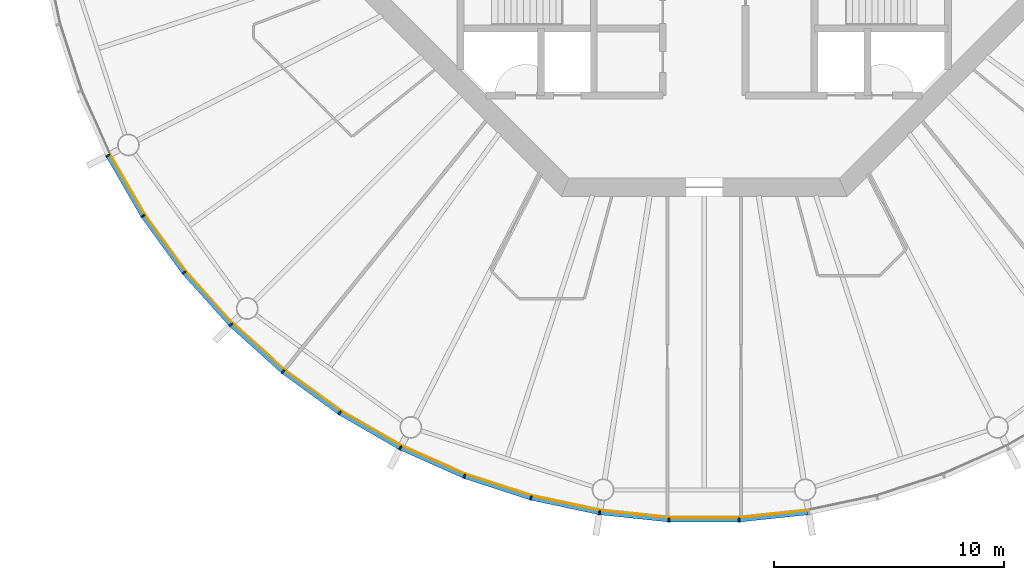
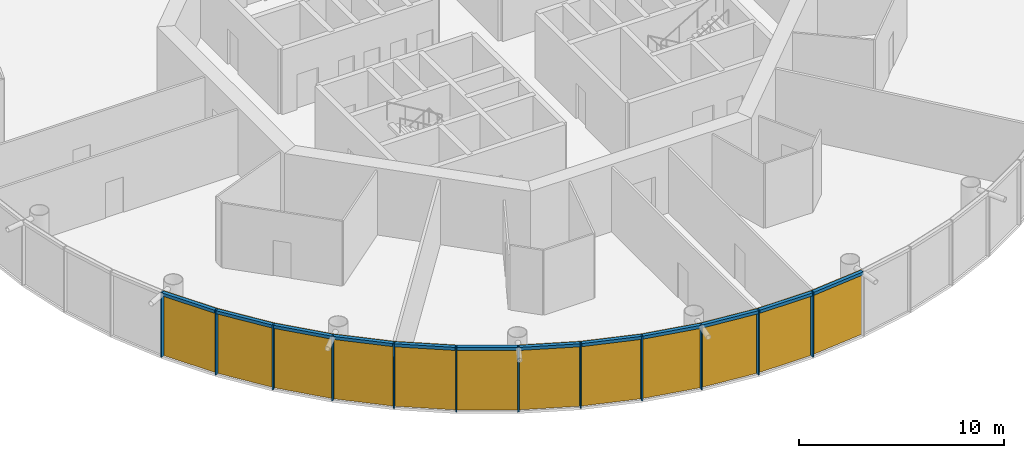
# One storey, part 7 of 13: 24 members, 4 curtain walls.
"""IFC4 building model written with IfcOpenShell, lengths in metres."""

from ifc_helpers import new_model, si_unit, direction, frame, origin, origin_2d, place, context, subcontext, project, spatial, polyline, rectangle, outline, extrude, material, layer, layer_set, material_profile, profile_set, type_object, element, aggregate, save


model = new_model("IFC4")

# Units and contexts
model_context = context("Model", 3, precision=1e-05, world=origin(), true_north=direction((0.0, 1.0)))
body_context = subcontext(model_context, "Body", "Model", "MODEL_VIEW")
ifc_project = project(units=[si_unit("LENGTHUNIT", "METRE"), si_unit("AREAUNIT", "SQUARE_METRE"), si_unit("VOLUMEUNIT", "CUBIC_METRE"), si_unit("PLANEANGLEUNIT", "RADIAN"), si_unit("MASSUNIT", "GRAM", prefix="KILO")], contexts=[model_context])

# Member
ifc_material_1 = material(Name="Anodised aluminium", Category="aluminium")
ifc_material_profile_1 = material_profile(ifc_material_1, rectangle(XDim=0.06494140625, YDim=0.195068359375, at=origin_2d()), Name="Mullion 65 x 195 mm anodised aluminium")
ifc_profile_set_1 = profile_set([ifc_material_profile_1], Name="Anodised aluminium")
member_type_1 = type_object("IfcMemberType", Name="Mullion 65 x 195 mm anodised aluminium", PredefinedType="MULLION", material=ifc_profile_set_1)
site_placement = place(None, origin())
building_placement = place(site_placement, origin())
storey_placement = place(building_placement, frame((0.0, 0.0, 290.0)))
member_1_placement = place(storey_placement, frame((64.073974609375, 66.7900390625, 0.0), z_axis=(0.0, 0.0, 1.0), x_axis=(0.45399049974, -0.891006524188, 0.0)))
member_1 = element("IfcMember", 1, at=member_1_placement, type_object=member_type_1, Name="MULLION L66-33", PredefinedType="MULLION", context=body_context, shape_type="SweptSolid", body=[
    extrude(rectangle(XDim=0.06494140625, YDim=0.195068359375, at=origin_2d()), origin(), (0.0, 0.0, 1.0), 3.85009765625),
])

member_2_placement = place(storey_placement, frame((65.5966796875, 64.15234375, 0.0), z_axis=(0.0, 0.0, 1.0), x_axis=(0.544639035015, -0.838670567945, 0.0)))
member_2 = element("IfcMember", 2, at=member_2_placement, type_object=member_type_1, Name="MULLION L66-34", PredefinedType="MULLION", context=body_context, shape_type="SweptSolid", body=[
    extrude(rectangle(XDim=0.06494140625, YDim=0.195068359375, at=origin_2d()), origin(), (0.0, 0.0, 1.0), 3.85009765625),
])

member_3_placement = place(storey_placement, frame((67.386962890625, 61.688232421875, 0.0), z_axis=(0.0, 0.0, 1.0), x_axis=(0.62932039105, -0.777145961457, 0.0)))
member_3 = element("IfcMember", 3, at=member_3_placement, type_object=member_type_1, Name="MULLION L66-35", PredefinedType="MULLION", context=body_context, shape_type="SweptSolid", body=[
    extrude(rectangle(XDim=0.06494140625, YDim=0.195068359375, at=origin_2d()), origin(), (0.0, 0.0, 1.0), 3.85009765625),
])

member_4_placement = place(storey_placement, frame((69.425048828125, 59.425048828125, 0.0), z_axis=(0.0, 0.0, 1.0), x_axis=(0.707106781187, -0.707106781187, 0.0)))
member_4 = element("IfcMember", 4, at=member_4_placement, type_object=member_type_1, Name="MULLION L66-36", PredefinedType="MULLION", context=body_context, shape_type="SweptSolid", body=[
    extrude(rectangle(XDim=0.06494140625, YDim=0.195068359375, at=origin_2d()), origin(), (0.0, 0.0, 1.0), 3.85009765625),
])

member_5_placement = place(storey_placement, frame((71.688232421875, 57.386962890625, 0.0), z_axis=(0.0, 0.0, 1.0), x_axis=(0.777145961457, -0.62932039105, 0.0)))
member_5 = element("IfcMember", 5, at=member_5_placement, type_object=member_type_1, Name="MULLION L66-37", PredefinedType="MULLION", context=body_context, shape_type="SweptSolid", body=[
    extrude(rectangle(XDim=0.06494140625, YDim=0.195068359375, at=origin_2d()), origin(), (0.0, 0.0, 1.0), 3.85009765625),
])

member_6_placement = place(storey_placement, frame((74.15234375, 55.5966796875, 0.0), z_axis=(0.0, 0.0, 1.0), x_axis=(0.838670567945, -0.544639035015, 0.0)))
member_6 = element("IfcMember", 6, at=member_6_placement, type_object=member_type_1, Name="MULLION L66-38", PredefinedType="MULLION", context=body_context, shape_type="SweptSolid", body=[
    extrude(rectangle(XDim=0.06494140625, YDim=0.195068359375, at=origin_2d()), origin(), (0.0, 0.0, 1.0), 3.85009765625),
])

member_7_placement = place(storey_placement, frame((76.7900390625, 54.073974609375, 0.0), z_axis=(0.0, 0.0, 1.0), x_axis=(0.891006524188, -0.45399049974, 0.0)))
member_7 = element("IfcMember", 7, at=member_7_placement, type_object=member_type_1, Name="MULLION L66-39", PredefinedType="MULLION", context=body_context, shape_type="SweptSolid", body=[
    extrude(rectangle(XDim=0.06494140625, YDim=0.195068359375, at=origin_2d()), origin(), (0.0, 0.0, 1.0), 3.85009765625),
])

member_8_placement = place(storey_placement, frame((79.572509765625, 52.835205078125, 0.0), z_axis=(0.0, 0.0, 1.0), x_axis=(0.933580426497, -0.358367949545, 0.0)))
member_8 = element("IfcMember", 8, at=member_8_placement, type_object=member_type_1, Name="MULLION L66-40", PredefinedType="MULLION", context=body_context, shape_type="SweptSolid", body=[
    extrude(rectangle(XDim=0.06494140625, YDim=0.195068359375, at=origin_2d()), origin(), (0.0, 0.0, 1.0), 3.85009765625),
])

member_9_placement = place(storey_placement, frame((82.468994140625, 51.89404296875, 0.0), z_axis=(0.0, 0.0, 1.0), x_axis=(0.965925826289, -0.258819045103, 0.0)))
member_9 = element("IfcMember", 9, at=member_9_placement, type_object=member_type_1, Name="MULLION L66-41", PredefinedType="MULLION", context=body_context, shape_type="SweptSolid", body=[
    extrude(rectangle(XDim=0.06494140625, YDim=0.195068359375, at=origin_2d()), origin(), (0.0, 0.0, 1.0), 3.85009765625),
])

member_10_placement = place(storey_placement, frame((85.4482421875, 51.2607421875, 0.0), z_axis=(0.0, 0.0, 1.0), x_axis=(0.987688340595, -0.15643446504, 0.0)))
member_10 = element("IfcMember", 10, at=member_10_placement, type_object=member_type_1, Name="MULLION L66-42", PredefinedType="MULLION", context=body_context, shape_type="SweptSolid", body=[
    extrude(rectangle(XDim=0.06494140625, YDim=0.195068359375, at=origin_2d()), origin(), (0.0, 0.0, 1.0), 3.85009765625),
])

member_11_placement = place(storey_placement, frame((88.47705078125, 50.9423828125, 0.0), z_axis=(0.0, 0.0, 1.0), x_axis=(0.998629534755, -0.052335956243, 0.0)))
member_11 = element("IfcMember", 11, at=member_11_placement, type_object=member_type_1, Name="MULLION L66-43", PredefinedType="MULLION", context=body_context, shape_type="SweptSolid", body=[
    extrude(rectangle(XDim=0.06494140625, YDim=0.195068359375, at=origin_2d()), origin(), (0.0, 0.0, 1.0), 3.85009765625),
])

member_12_placement = place(storey_placement, frame((91.52294921875, 50.9423828125, 0.0), z_axis=(0.0, 0.0, 1.0), x_axis=(0.998629534755, 0.052335956243, 0.0)))
member_12 = element("IfcMember", 12, at=member_12_placement, type_object=member_type_1, Name="MULLION L66-44", PredefinedType="MULLION", context=body_context, shape_type="SweptSolid", body=[
    extrude(rectangle(XDim=0.06494140625, YDim=0.195068359375, at=origin_2d()), origin(), (0.0, 0.0, 1.0), 3.85009765625),
])

ifc_material_2 = material(Name="Anodised aluminium", Category="aluminium")
ifc_material_profile_2 = material_profile(ifc_material_2, rectangle(XDim=0.195068359375, YDim=0.179931640625, at=origin_2d()), Name="Transom 180 x 195 mm anodised aluminium")
ifc_profile_set_2 = profile_set([ifc_material_profile_2], Name="Anodised aluminium")
member_type_2 = type_object("IfcMemberType", Name="Transom 180 x 195 mm anodised aluminium", PredefinedType="USERDEFINED", material=ifc_profile_set_2)
member_13_placement = place(storey_placement, frame((64.092529296875, 66.75732421875, 3.760009765625), z_axis=(0.500028367561, -0.866009025146, 0.0), x_axis=(0.866009025146, 0.500028367561, 0.0)))
member_13 = element("IfcMember", 13, at=member_13_placement, type_object=member_type_2, Name="TRANSOM L66-33", ObjectType="TRANSOM", PredefinedType="USERDEFINED", context=body_context, shape_type="SweptSolid", body=[
    extrude(rectangle(XDim=0.195068359375, YDim=0.179931640625, at=origin_2d()), origin(), (0.0, 0.0, 1.0), 2.970458984375),
])

member_14_placement = place(storey_placement, frame((65.618896484375, 64.121826171875, 3.760009765625), z_axis=(0.587765987476, -0.809030990733, 0.0), x_axis=(0.809030990733, 0.587765987476, 0.0)))
member_14 = element("IfcMember", 14, at=member_14_placement, type_object=member_type_2, Name="TRANSOM L66-34", ObjectType="TRANSOM", PredefinedType="USERDEFINED", context=body_context, shape_type="SweptSolid", body=[
    extrude(rectangle(XDim=0.195068359375, YDim=0.179931640625, at=origin_2d()), origin(), (0.0, 0.0, 1.0), 2.97021484375),
])

member_15_placement = place(storey_placement, frame((67.412109375, 61.660400390625, 3.760009765625), z_axis=(0.669110027395, -0.743163354343, 0.0), x_axis=(0.743163354343, 0.669110027395, 0.0)))
member_15 = element("IfcMember", 15, at=member_15_placement, type_object=member_type_2, Name="TRANSOM L66-35", ObjectType="TRANSOM", PredefinedType="USERDEFINED", context=body_context, shape_type="SweptSolid", body=[
    extrude(rectangle(XDim=0.195068359375, YDim=0.179931640625, at=origin_2d()), origin(), (0.0, 0.0, 1.0), 2.970458984375),
])

member_16_placement = place(storey_placement, frame((69.452880859375, 59.399658203125, 3.760009765625), z_axis=(0.743163354343, -0.669110027395, 0.0), x_axis=(0.669110027395, 0.743163354343, 0.0)))
member_16 = element("IfcMember", 16, at=member_16_placement, type_object=member_type_2, Name="TRANSOM L66-36", ObjectType="TRANSOM", PredefinedType="USERDEFINED", context=body_context, shape_type="SweptSolid", body=[
    extrude(rectangle(XDim=0.195068359375, YDim=0.179931640625, at=origin_2d()), origin(), (0.0, 0.0, 1.0), 2.970458984375),
])

member_17_placement = place(storey_placement, frame((71.71875, 57.36474609375, 3.760009765625), z_axis=(0.809030990733, -0.587765987476, 0.0), x_axis=(0.587765987476, 0.809030990733, 0.0)))
member_17 = element("IfcMember", 17, at=member_17_placement, type_object=member_type_2, Name="TRANSOM L66-37", ObjectType="TRANSOM", PredefinedType="USERDEFINED", context=body_context, shape_type="SweptSolid", body=[
    extrude(rectangle(XDim=0.195068359375, YDim=0.179931640625, at=origin_2d()), origin(), (0.0, 0.0, 1.0), 2.97021484375),
])

member_18_placement = place(storey_placement, frame((74.184814453125, 55.577880859375, 3.760009765625), z_axis=(0.866009025146, -0.500028367561, 0.0), x_axis=(0.500028367561, 0.866009025146, 0.0)))
member_18 = element("IfcMember", 18, at=member_18_placement, type_object=member_type_2, Name="TRANSOM L66-38", ObjectType="TRANSOM", PredefinedType="USERDEFINED", context=body_context, shape_type="SweptSolid", body=[
    extrude(rectangle(XDim=0.195068359375, YDim=0.179931640625, at=origin_2d()), origin(), (0.0, 0.0, 1.0), 2.970458984375),
])

member_19_placement = place(storey_placement, frame((76.82421875, 54.05859375, 3.760009765625), z_axis=(0.913550406593, -0.406725527369, 0.0), x_axis=(0.406725527369, 0.913550406593, 0.0)))
member_19 = element("IfcMember", 19, at=member_19_placement, type_object=member_type_2, Name="TRANSOM L66-39", ObjectType="TRANSOM", PredefinedType="USERDEFINED", context=body_context, shape_type="SweptSolid", body=[
    extrude(rectangle(XDim=0.195068359375, YDim=0.179931640625, at=origin_2d()), origin(), (0.0, 0.0, 1.0), 2.970703125),
])

member_20_placement = place(storey_placement, frame((79.608154296875, 52.823486328125, 3.760009765625), z_axis=(0.951047960094, -0.309043326415, 0.0), x_axis=(0.309043326415, 0.951047960094, 0.0)))
member_20 = element("IfcMember", 20, at=member_20_placement, type_object=member_type_2, Name="TRANSOM L66-40", ObjectType="TRANSOM", PredefinedType="USERDEFINED", context=body_context, shape_type="SweptSolid", body=[
    extrude(rectangle(XDim=0.195068359375, YDim=0.179931640625, at=origin_2d()), origin(), (0.0, 0.0, 1.0), 2.970458984375),
])

member_21_placement = place(storey_placement, frame((82.505859375, 51.885986328125, 3.760009765625), z_axis=(0.978141510112, -0.207940342877, 0.0), x_axis=(0.207940342877, 0.978141510112, 0.0)))
member_21 = element("IfcMember", 21, at=member_21_placement, type_object=member_type_2, Name="TRANSOM L66-41", ObjectType="TRANSOM", PredefinedType="USERDEFINED", context=body_context, shape_type="SweptSolid", body=[
    extrude(rectangle(XDim=0.195068359375, YDim=0.179931640625, at=origin_2d()), origin(), (0.0, 0.0, 1.0), 2.970458984375),
])

member_22_placement = place(storey_placement, frame((85.485595703125, 51.256591796875, 3.760009765625), z_axis=(0.994528397827, -0.104466577987, 0.0), x_axis=(0.104466577987, 0.994528397827, 0.0)))
member_22 = element("IfcMember", 22, at=member_22_placement, type_object=member_type_2, Name="TRANSOM L66-42", ObjectType="TRANSOM", PredefinedType="USERDEFINED", context=body_context, shape_type="SweptSolid", body=[
    extrude(rectangle(XDim=0.195068359375, YDim=0.179931640625, at=origin_2d()), origin(), (0.0, 0.0, 1.0), 2.970458984375),
])

member_23_placement = place(storey_placement, frame((88.5146484375, 50.942138671875, 3.760009765625), z_axis=(1.0, 0.0, 0.0), x_axis=(0.0, 1.0, 0.0)))
member_23 = element("IfcMember", 23, at=member_23_placement, type_object=member_type_2, Name="TRANSOM L66-43", ObjectType="TRANSOM", PredefinedType="USERDEFINED", context=body_context, shape_type="SweptSolid", body=[
    extrude(rectangle(XDim=0.195068359375, YDim=0.179931640625, at=origin_2d()), origin(), (0.0, 0.0, 1.0), 2.970703125),
])

member_24_placement = place(storey_placement, frame((91.560302734375, 50.9462890625, 3.760009765625), z_axis=(0.994528397827, 0.104466577987, 0.0), x_axis=(-0.104466577987, 0.994528397827, 0.0)))
member_24 = element("IfcMember", 24, at=member_24_placement, type_object=member_type_2, Name="TRANSOM L66-44", ObjectType="TRANSOM", PredefinedType="USERDEFINED", context=body_context, shape_type="SweptSolid", body=[
    extrude(rectangle(XDim=0.195068359375, YDim=0.179931640625, at=origin_2d()), origin(), (0.0, 0.0, 1.0), 2.970458984375),
])

# Site, building, storey
site = spatial("IfcSite", under=ifc_project, at=site_placement, CompositionType="ELEMENT")
building = spatial("IfcBuilding", under=site, at=building_placement, Name="Entoto Ring Tower", CompositionType="ELEMENT")
storey = spatial("IfcBuildingStorey", under=building, at=storey_placement, Name="L66", CompositionType="ELEMENT", Elevation=290.0)

# Curtain wall
ifc_material_3 = material(Name="Clear low-iron glass", Category="glass")
ifc_layer = layer(ifc_material_3, 0.033935546875)
ifc_layer_set = layer_set([ifc_layer], Name="Clear low-iron glass")
curtain_wall_type = type_object("IfcCurtainWallType", Name="Curtain wall system CW5 glazing 34 mm", PredefinedType="NOTDEFINED", material=ifc_layer_set)
curtain_wall_1_placement = place(storey_placement, origin())
curtain_wall_1 = element("IfcCurtainWall", 25, at=curtain_wall_1_placement, inside=storey, type_object=curtain_wall_type, Name="CW5 L66-12", PredefinedType="NOTDEFINED", context=body_context, shape_type="SweptSolid", body=[
    extrude(outline(polyline([(64.160888671875, 66.834228515625), (65.678466796875, 64.20556640625), (67.462646484375, 61.749755859375), (69.493896484375, 59.493896484375), (69.51806640625, 59.51806640625), (67.4892578125, 61.771240234375), (65.70703125, 64.22412109375), (64.191162109375, 66.849853515625), (64.160888671875, 66.834228515625)])), origin(), (0.0, 0.0, 1.0), 3.85009765625),
])

aggregate(curtain_wall_1, [member_1, member_2, member_3, member_13, member_14, member_15])

curtain_wall_2_placement = place(storey_placement, origin())
curtain_wall_2 = element("IfcCurtainWall", 26, at=curtain_wall_2_placement, inside=storey, type_object=curtain_wall_type, Name="CW5 L66-13", PredefinedType="NOTDEFINED", context=body_context, shape_type="SweptSolid", body=[
    extrude(outline(polyline([(69.493896484375, 59.493896484375), (71.749755859375, 57.462646484375), (74.20556640625, 55.678466796875), (76.834228515625, 54.160888671875), (76.849853515625, 54.191162109375), (74.22412109375, 55.70703125), (71.771240234375, 57.4892578125), (69.51806640625, 59.51806640625), (69.493896484375, 59.493896484375)])), origin(), (0.0, 0.0, 1.0), 3.85009765625),
])

aggregate(curtain_wall_2, [member_4, member_5, member_6, member_16, member_17, member_18])

curtain_wall_3_placement = place(storey_placement, origin())
curtain_wall_3 = element("IfcCurtainWall", 27, at=curtain_wall_3_placement, inside=storey, type_object=curtain_wall_type, Name="CW5 L66-14", PredefinedType="NOTDEFINED", context=body_context, shape_type="SweptSolid", body=[
    extrude(outline(polyline([(76.834228515625, 54.160888671875), (79.607421875, 52.92626953125), (82.494140625, 51.988037109375), (85.46337890625, 51.35693359375), (85.46875, 51.390625), (82.503173828125, 52.02099609375), (79.61962890625, 52.9580078125), (76.849853515625, 54.191162109375), (76.834228515625, 54.160888671875)])), origin(), (0.0, 0.0, 1.0), 3.85009765625),
])

aggregate(curtain_wall_3, [member_7, member_8, member_9, member_19, member_20, member_21])

curtain_wall_4_placement = place(storey_placement, origin())
curtain_wall_4 = element("IfcCurtainWall", 28, at=curtain_wall_4_placement, inside=storey, type_object=curtain_wall_type, Name="CW5 L66-15", PredefinedType="NOTDEFINED", context=body_context, shape_type="SweptSolid", body=[
    extrude(outline(polyline([(85.46337890625, 51.35693359375), (88.482177734375, 51.039794921875), (91.517822265625, 51.039794921875), (94.53662109375, 51.35693359375), (94.53125, 51.390625), (91.515869140625, 51.07373046875), (88.484130859375, 51.07373046875), (85.46875, 51.390625), (85.46337890625, 51.35693359375)])), origin(), (0.0, 0.0, 1.0), 3.85009765625),
])

aggregate(curtain_wall_4, [member_10, member_11, member_12, member_22, member_23, member_24])

save(model, "model.ifc")
